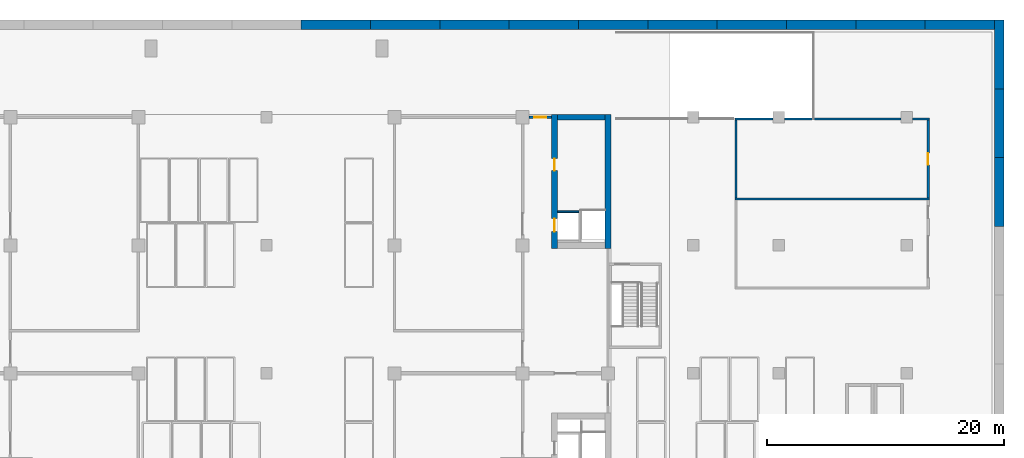
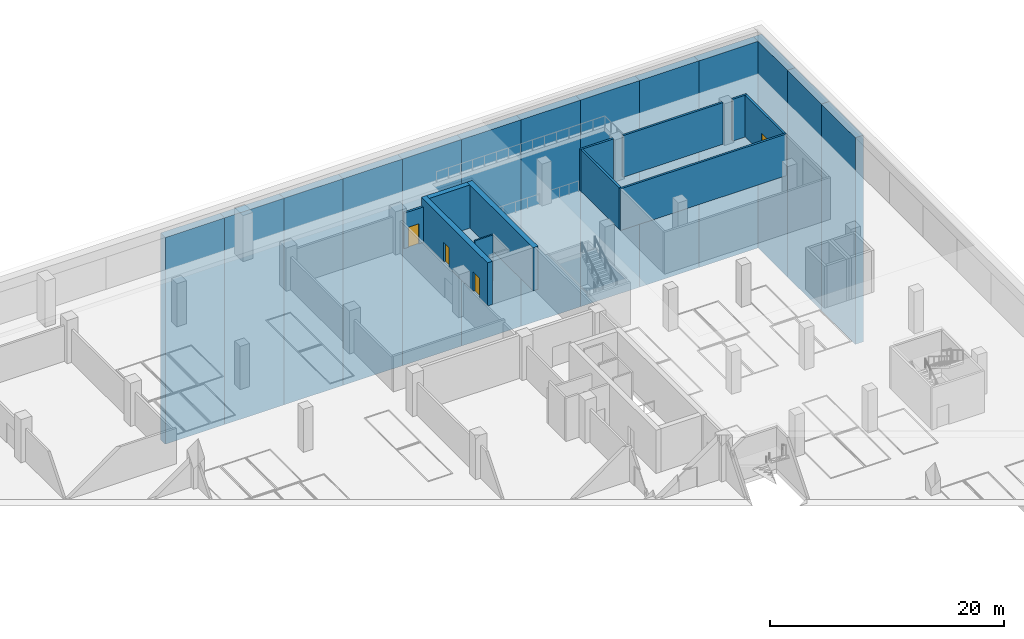
# One storey, part 9 of 18: 24 walls, 4 doors, 4 openings.
"""IFC4 building model written with IfcOpenShell, lengths in metres."""

from ifc_helpers import new_model, si_unit, direction, frame, frame_2d, origin, place, context, subcontext, project, spatial, rectangle, extrude, material, layer, layer_set, type_object, element, fill, save


model = new_model("IFC4")

# Units and contexts
model_context = context("Model", 3, precision=1e-05, world=origin(), true_north=direction((0.0, 1.0)))
body_context = subcontext(model_context, "Body", "Model", "MODEL_VIEW")
ifc_project = project(units=[si_unit("LENGTHUNIT", "METRE"), si_unit("AREAUNIT", "SQUARE_METRE"), si_unit("VOLUMEUNIT", "CUBIC_METRE"), si_unit("PLANEANGLEUNIT", "RADIAN"), si_unit("MASSUNIT", "GRAM", prefix="KILO")], contexts=[model_context])

# Site, building, storey
site_placement = place(None, origin())
site = spatial("IfcSite", under=ifc_project, at=site_placement, CompositionType="ELEMENT")
building_placement = place(site_placement, origin())
building = spatial("IfcBuilding", under=site, at=building_placement, Name="Basin Gate Institute", CompositionType="ELEMENT")
storey_placement = place(building_placement, frame((0.0, 0.0, -4.800048828125)))
storey = spatial("IfcBuildingStorey", under=building, at=storey_placement, Name="B1", CompositionType="ELEMENT", Elevation=-4.800048828125)

# Walls
ifc_material_1 = material(Name="Blockwork", Category="masonry")
ifc_layer_1 = layer(ifc_material_1, 0.199951171875)
ifc_layer_set_1 = layer_set([ifc_layer_1], Name="Basement fire partition EI 60")
wall_type_1 = type_object("IfcWallType", Name="Basement fire partition EI 60", PredefinedType="PARTITIONING", material=ifc_layer_set_1)
wall_1_placement = place(storey_placement, frame((129.5, 93.0, 0.0), z_axis=(0.0, 0.0, 1.0), x_axis=(1.0, 0.0, 0.0)))
element("IfcWall", 1, at=wall_1_placement, inside=storey, type_object=wall_type_1, material=ifc_layer_set_1, Name="Refuse Room fire-resisting wall", PredefinedType="PARTITIONING", context=body_context, shape_type="SweptSolid", body=[
    extrude(rectangle(XDim=16.39990234375, YDim=0.199951171875, at=frame_2d((8.199951171875, 0.0))), origin(), (0.0, 0.0, 1.0), 4.35009765625),
])
wall_2_placement = place(storey_placement, frame((129.5, 99.75, 0.0), z_axis=(0.0, 0.0, 1.0), x_axis=(1.0, 0.0, 0.0)))
element("IfcWall", 2, at=wall_2_placement, inside=storey, type_object=wall_type_1, material=ifc_layer_set_1, Name="Refuse Room fire-resisting wall", PredefinedType="PARTITIONING", context=body_context, shape_type="SweptSolid", body=[
    extrude(rectangle(XDim=3.22509765625, YDim=0.199951171875, at=frame_2d((1.612548828125, 0.0))), origin(), (0.0, 0.0, 1.0), 4.35009765625),
])
wall_3_placement = place(storey_placement, frame((133.675048828125, 99.75, 0.0), z_axis=(0.0, 0.0, 1.0), x_axis=(1.0, 0.0, 0.0)))
element("IfcWall", 3, at=wall_3_placement, inside=storey, type_object=wall_type_1, material=ifc_layer_set_1, Name="Refuse Room fire-resisting wall", PredefinedType="PARTITIONING", context=body_context, shape_type="SweptSolid", body=[
    extrude(rectangle(XDim=9.849853515625, YDim=0.199951171875, at=frame_2d((4.9248046875, 0.0))), origin(), (0.0, 0.0, 1.0), 4.35009765625),
])
wall_4_placement = place(storey_placement, frame((144.47509765625, 99.75, 0.0), z_axis=(0.0, 0.0, 1.0), x_axis=(1.0, 0.0, 0.0)))
element("IfcWall", 4, at=wall_4_placement, inside=storey, type_object=wall_type_1, material=ifc_layer_set_1, Name="Refuse Room fire-resisting wall", PredefinedType="PARTITIONING", context=body_context, shape_type="SweptSolid", body=[
    extrude(rectangle(XDim=1.4248046875, YDim=0.199951171875, at=frame_2d((0.71240234375, 0.0))), origin(), (0.0, 0.0, 1.0), 4.35009765625),
])

# Wall, opening, door
wall_5_placement = place(storey_placement, frame((112.14990234375, 99.89990234375, 0.0), z_axis=(0.0, 0.0, 1.0), x_axis=(1.0, 0.0, 0.0)))
wall_5 = element("IfcWall", 5, at=wall_5_placement, inside=storey, type_object=wall_type_1, material=ifc_layer_set_1, Name="Service Corridor B1 East fire-resisting wall", PredefinedType="PARTITIONING", context=body_context, shape_type="SweptSolid", body=[
    extrude(rectangle(XDim=1.900146484375, YDim=0.199951171875, at=frame_2d((0.9501953125, 0.0))), origin(), (0.0, 0.0, 1.0), 3.699951171875),
])
opening_1_placement = place(wall_5_placement, frame((0.449951171875, 0.0, 0.0)))
opening_1 = element("IfcOpeningElement", 6, at=opening_1_placement, cuts=wall_5, Name="Opening DB119", PredefinedType="OPENING", context=body_context, shape_type="SweptSolid", body=[
    extrude(rectangle(XDim=1.0, YDim=2.10009765625, at=frame_2d((0.5, 1.050048828125))), frame((0.0, 0.10986328125, 0.0), z_axis=(0.0, -1.0, 0.0), x_axis=(1.0, 0.0, 0.0)), (0.0, 0.0, 1.0), 0.219970703125),
])
ifc_material_2 = material(Name="Steel door set", Category="steel")
door_type_1 = type_object("IfcDoorType", Name="Fire door FD60 1000x2100", OperationType="NOTDEFINED", PredefinedType="DOOR", material=ifc_material_2)
door_1_placement = place(opening_1_placement, origin())
door_1 = element("IfcDoor", 7, at=door_1_placement, inside=storey, type_object=door_type_1, material=ifc_material_2, Name="Door DB119 Service Corridor B1 East", OperationType="SINGLE_SWING_RIGHT", OverallHeight=2.10009765625, OverallWidth=1.0, PredefinedType="DOOR", context=body_context, shape_type="SweptSolid", body=[
    extrude(rectangle(XDim=1.0, YDim=2.10009765625, at=frame_2d((0.5, 1.050048828125))), frame((0.0, 0.02490234375, 0.0), z_axis=(0.0, -1.0, 0.0), x_axis=(1.0, 0.0, 0.0)), (0.0, 0.0, 1.0), 0.050048828125),
])
fill(opening_1, door_1)

# Wall
wall_6_placement = place(storey_placement, frame((129.60009765625, 93.10009765625, 0.0), z_axis=(0.0, 0.0, 1.0), x_axis=(0.0, 1.0, 0.0)))
element("IfcWall", 8, at=wall_6_placement, inside=storey, type_object=wall_type_1, material=ifc_layer_set_1, Name="Refuse Room fire-resisting wall", PredefinedType="PARTITIONING", context=body_context, shape_type="SweptSolid", body=[
    extrude(rectangle(XDim=6.5498046875, YDim=0.199951171875, at=frame_2d((3.27490234375, 0.0))), origin(), (0.0, 0.0, 1.0), 4.35009765625),
])

# Wall, opening, door
wall_7_placement = place(storey_placement, frame((145.800048828125, 93.10009765625, 0.0), z_axis=(0.0, 0.0, 1.0), x_axis=(0.0, 1.0, 0.0)))
wall_7 = element("IfcWall", 9, at=wall_7_placement, inside=storey, type_object=wall_type_1, material=ifc_layer_set_1, Name="Refuse Room fire-resisting wall", PredefinedType="PARTITIONING", context=body_context, shape_type="SweptSolid", body=[
    extrude(rectangle(XDim=6.5498046875, YDim=0.199951171875, at=frame_2d((3.27490234375, 0.0))), origin(), (0.0, 0.0, 1.0), 4.35009765625),
])
opening_2_placement = place(wall_7_placement, frame((2.77490234375, 0.0, 0.0)))
opening_2 = element("IfcOpeningElement", 10, at=opening_2_placement, cuts=wall_7, Name="Opening DB104", PredefinedType="OPENING", context=body_context, shape_type="SweptSolid", body=[
    extrude(rectangle(XDim=1.0, YDim=2.10009765625, at=frame_2d((0.5, 1.050048828125))), frame((0.0, 0.10986328125, 0.0), z_axis=(0.0, -1.0, 0.0), x_axis=(1.0, 0.0, 0.0)), (0.0, 0.0, 1.0), 0.219970703125),
])
door_2_placement = place(opening_2_placement, origin())
door_2 = element("IfcDoor", 11, at=door_2_placement, inside=storey, type_object=door_type_1, material=ifc_material_2, Name="Door DB104 Refuse Room", OperationType="SINGLE_SWING_LEFT", OverallHeight=2.10009765625, OverallWidth=1.0, PredefinedType="DOOR", context=body_context, shape_type="SweptSolid", body=[
    extrude(rectangle(XDim=1.0, YDim=2.10009765625, at=frame_2d((0.5, 1.050048828125))), frame((0.0, 0.02490234375, 0.0), z_axis=(0.0, -1.0, 0.0), x_axis=(1.0, 0.0, 0.0)), (0.0, 0.0, 1.0), 0.050048828125),
])
fill(opening_2, door_2)

# Walls
ifc_material_3 = material(Name="Concrete 40 MPa", Category="concrete")
ifc_layer_2 = layer(ifc_material_3, 0.800048828125)
ifc_layer_set_2 = layer_set([ifc_layer_2], Name="Concrete 40 MPa")
wall_type_2 = type_object("IfcWallType", Name="Wall DW1 R180", PredefinedType="SOLIDWALL", material=ifc_layer_set_2)
for number, where, z_axis, x_axis, name in (
    (12, (151.800048828125, 90.699951171875, -18.199951171875), (0.0, 0.0, 1.0), (0.0, 1.0, 0.0), "WALL/B1/BASE/E/12"),
    (13, (151.800048828125, 96.5, -18.199951171875), (0.0, 0.0, 1.0), (0.0, 1.0, 0.0), "WALL/B1/BASE/E/13"),
    (14, (151.800048828125, 102.300048828125, -18.199951171875), (0.0, 0.0, 1.0), (0.0, 1.0, 0.0), "WALL/B1/BASE/E/14"),
):
    element("IfcWall", number, at=place(storey_placement, frame(where, z_axis=z_axis, x_axis=x_axis)), inside=storey, type_object=wall_type_2, material=ifc_layer_set_2, Name=name, PredefinedType="SOLIDWALL", context=body_context, shape_type="SweptSolid", body=[
        extrude(rectangle(XDim=5.800048828125, YDim=0.800048828125, at=frame_2d((2.89990234375, 0.0))), origin(), (0.0, 0.0, 1.0), 21.550048828125),
    ])
for number, where, z_axis, x_axis, name in (
    (15, (92.923828125, 107.699951171875, -18.199951171875), (0.0, 0.0, 1.0), (1.0, 0.0, 0.0), "WALL/B1/BASE/N/12"),
    (16, (98.771484375, 107.699951171875, -18.199951171875), (0.0, 0.0, 1.0), (1.0, 0.0, 0.0), "WALL/B1/BASE/N/13"),
):
    element("IfcWall", number, at=place(storey_placement, frame(where, z_axis=z_axis, x_axis=x_axis)), inside=storey, type_object=wall_type_2, material=ifc_layer_set_2, Name=name, PredefinedType="SOLIDWALL", context=body_context, shape_type="SweptSolid", body=[
        extrude(rectangle(XDim=5.84765625, YDim=0.800048828125, at=frame_2d((2.923828125, 0.0))), origin(), (0.0, 0.0, 1.0), 21.550048828125),
    ])
wall_8_placement = place(storey_placement, frame((104.619140625, 107.699951171875, -18.199951171875), z_axis=(0.0, 0.0, 1.0), x_axis=(1.0, 0.0, 0.0)))
element("IfcWall", 17, at=wall_8_placement, inside=storey, type_object=wall_type_2, material=ifc_layer_set_2, Name="WALL/B1/BASE/N/14", PredefinedType="SOLIDWALL", context=body_context, shape_type="SweptSolid", body=[
    extrude(rectangle(XDim=5.847412109375, YDim=0.800048828125, at=frame_2d((2.923828125, 0.0))), origin(), (0.0, 0.0, 1.0), 21.550048828125),
])
for number, where, z_axis, x_axis, name in (
    (18, (110.466552734375, 107.699951171875, -18.199951171875), (0.0, 0.0, 1.0), (1.0, 0.0, 0.0), "WALL/B1/BASE/N/15"),
    (19, (116.314208984375, 107.699951171875, -18.199951171875), (0.0, 0.0, 1.0), (1.0, 0.0, 0.0), "WALL/B1/BASE/N/16"),
    (20, (122.161865234375, 107.699951171875, -18.199951171875), (0.0, 0.0, 1.0), (1.0, 0.0, 0.0), "WALL/B1/BASE/N/17"),
    (21, (128.009521484375, 107.699951171875, -18.199951171875), (0.0, 0.0, 1.0), (1.0, 0.0, 0.0), "WALL/B1/BASE/N/18"),
    (22, (133.857177734375, 107.699951171875, -18.199951171875), (0.0, 0.0, 1.0), (1.0, 0.0, 0.0), "WALL/B1/BASE/N/19"),
    (23, (139.704833984375, 107.699951171875, -18.199951171875), (0.0, 0.0, 1.0), (1.0, 0.0, 0.0), "WALL/B1/BASE/N/20"),
):
    element("IfcWall", number, at=place(storey_placement, frame(where, z_axis=z_axis, x_axis=x_axis)), inside=storey, type_object=wall_type_2, material=ifc_layer_set_2, Name=name, PredefinedType="SOLIDWALL", context=body_context, shape_type="SweptSolid", body=[
        extrude(rectangle(XDim=5.84765625, YDim=0.800048828125, at=frame_2d((2.923828125, 0.0))), origin(), (0.0, 0.0, 1.0), 21.550048828125),
    ])
wall_9_placement = place(storey_placement, frame((145.552490234375, 107.699951171875, -18.199951171875), z_axis=(0.0, 0.0, 1.0), x_axis=(1.0, 0.0, 0.0)))
element("IfcWall", 24, at=wall_9_placement, inside=storey, type_object=wall_type_2, material=ifc_layer_set_2, Name="WALL/B1/BASE/N/21", PredefinedType="SOLIDWALL", context=body_context, shape_type="SweptSolid", body=[
    extrude(rectangle(XDim=5.847412109375, YDim=0.800048828125, at=frame_2d((2.923828125, 0.0))), origin(), (0.0, 0.0, 1.0), 21.550048828125),
])
ifc_material_4 = material(Name="Concrete 40 MPa", Category="concrete")
ifc_layer_3 = layer(ifc_material_4, 0.14990234375)
ifc_layer_set_3 = layer_set([ifc_layer_3], Name="Concrete 40 MPa")
wall_type_3 = type_object("IfcWallType", Name="Wall LS1 lift shaft enclosure R180", PredefinedType="SOLIDWALL", material=ifc_layer_set_3)
wall_10_placement = place(storey_placement, frame((116.35009765625, 91.925048828125, 0.0), z_axis=(0.0, 0.0, 1.0), x_axis=(-1.0, 0.0, 0.0)))
element("IfcWall", 25, at=wall_10_placement, inside=storey, type_object=wall_type_3, material=ifc_layer_set_3, Name="Lift shaft enclosure LP6 B1 RL", PredefinedType="SOLIDWALL", context=body_context, shape_type="SweptSolid", body=[
    extrude(rectangle(XDim=1.800048828125, YDim=0.14990234375, at=frame_2d((0.89990234375, 0.0))), origin(), (0.0, 0.0, 1.0), 4.800048828125),
])
ifc_material_5 = material(Name="Concrete 60 MPa", Category="concrete")
ifc_layer_4 = layer(ifc_material_5, 0.5)
ifc_layer_set_4 = layer_set([ifc_layer_4], Name="Concrete 60 MPa")
wall_type_4 = type_object("IfcWallType", Name="Wall SW1 R180", PredefinedType="SHEAR", material=ifc_layer_set_4)
wall_11_placement = place(storey_placement, frame((118.800048828125, 88.85009765625, 0.0), z_axis=(0.0, 0.0, 1.0), x_axis=(0.0, 1.0, 0.0)))
element("IfcWall", 26, at=wall_11_placement, inside=storey, type_object=wall_type_4, material=ifc_layer_set_4, Name="WALL/B1/EN/L", PredefinedType="SHEAR", context=body_context, shape_type="SweptSolid", body=[
    extrude(rectangle(XDim=11.2998046875, YDim=0.5, at=frame_2d((5.64990234375, 0.0))), origin(), (0.0, 0.0, 1.0), 4.5),
])

# Wall, openings, doors
wall_12_placement = place(storey_placement, frame((114.300048828125, 88.85009765625, 0.0), z_axis=(0.0, 0.0, 1.0), x_axis=(0.0, 1.0, 0.0)))
wall_12 = element("IfcWall", 27, at=wall_12_placement, inside=storey, type_object=wall_type_4, material=ifc_layer_set_4, Name="WALL/B1/EN/C", PredefinedType="SHEAR", context=body_context, shape_type="SweptSolid", body=[
    extrude(rectangle(XDim=11.2998046875, YDim=0.5, at=frame_2d((5.64990234375, 0.0))), origin(), (0.0, 0.0, 1.0), 4.5),
])
opening_3_placement = place(wall_12_placement, frame((1.39990234375, 0.0, 0.0)))
opening_3 = element("IfcOpeningElement", 28, at=opening_3_placement, cuts=wall_12, Name="Opening LD105", PredefinedType="OPENING", context=body_context, shape_type="SweptSolid", body=[
    extrude(rectangle(XDim=1.10009765625, YDim=2.10009765625, at=frame_2d((0.550048828125, 1.050048828125))), frame((0.0, 0.260009765625, 0.0), z_axis=(0.0, -1.0, 0.0), x_axis=(1.0, 0.0, 0.0)), (0.0, 0.0, 1.0), 0.52001953125),
])
opening_4_placement = place(wall_12_placement, frame((6.550048828125, 0.0, 0.0)))
opening_4 = element("IfcOpeningElement", 29, at=opening_4_placement, cuts=wall_12, Name="Opening DB130", PredefinedType="OPENING", context=body_context, shape_type="SweptSolid", body=[
    extrude(rectangle(XDim=1.0, YDim=2.10009765625, at=frame_2d((0.5, 1.050048828125))), frame((0.0, 0.260009765625, 0.0), z_axis=(0.0, -1.0, 0.0), x_axis=(1.0, 0.0, 0.0)), (0.0, 0.0, 1.0), 0.52001953125),
])
ifc_material_6 = material(Name="Stainless steel", Category="steel")
door_type_2 = type_object("IfcDoorType", Name="FD60 Lift landing door LD", OperationType="SLIDING_TO_LEFT", PredefinedType="DOOR", material=ifc_material_6)
door_3_placement = place(opening_3_placement, origin())
door_3 = element("IfcDoor", 30, at=door_3_placement, inside=storey, type_object=door_type_2, material=ifc_material_6, Name="Lift landing door LP6 B1", OperationType="SLIDING_TO_LEFT", OverallHeight=2.10009765625, OverallWidth=1.10009765625, PredefinedType="DOOR", context=body_context, shape_type="SweptSolid", body=[
    extrude(rectangle(XDim=1.10009765625, YDim=2.10009765625, at=frame_2d((0.550048828125, 1.050048828125))), frame((0.0, 0.02490234375, 0.0), z_axis=(0.0, -1.0, 0.0), x_axis=(1.0, 0.0, 0.0)), (0.0, 0.0, 1.0), 0.050048828125),
])
fill(opening_3, door_3)
door_4_placement = place(opening_4_placement, frame((1.0, 0.0, 0.0), z_axis=(0.0, 0.0, 1.0), x_axis=(-1.0, 0.0, 0.0)))
door_4 = element("IfcDoor", 31, at=door_4_placement, inside=storey, type_object=door_type_1, material=ifc_material_2, Name="Door DB130 Mechanical Riser Room B1 EN", OperationType="SINGLE_SWING_RIGHT", OverallHeight=2.10009765625, OverallWidth=1.0, PredefinedType="DOOR", context=body_context, shape_type="SweptSolid", body=[
    extrude(rectangle(XDim=1.0, YDim=2.10009765625, at=frame_2d((0.5, 1.050048828125))), frame((0.0, 0.02490234375, 0.0), z_axis=(0.0, -1.0, 0.0), x_axis=(1.0, 0.0, 0.0)), (0.0, 0.0, 1.0), 0.050048828125),
])
fill(opening_4, door_4)

# Wall
wall_13_placement = place(storey_placement, frame((118.550048828125, 99.89990234375, 0.0), z_axis=(0.0, 0.0, 1.0), x_axis=(-1.0, 0.0, 0.0)))
element("IfcWall", 32, at=wall_13_placement, inside=storey, type_object=wall_type_4, material=ifc_layer_set_4, Name="WALL/B1/EN/N", PredefinedType="SHEAR", context=body_context, shape_type="SweptSolid", body=[
    extrude(rectangle(XDim=4.0, YDim=0.5, at=frame_2d((2.0, 0.0))), origin(), (0.0, 0.0, 1.0), 4.5),
])

save(model, "model.ifc")
